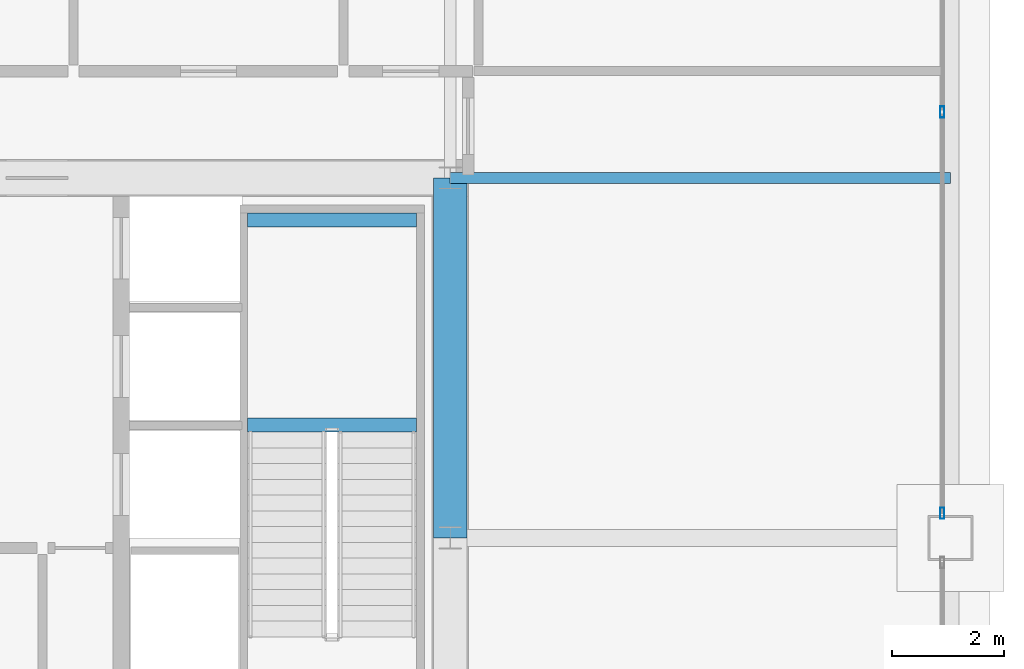
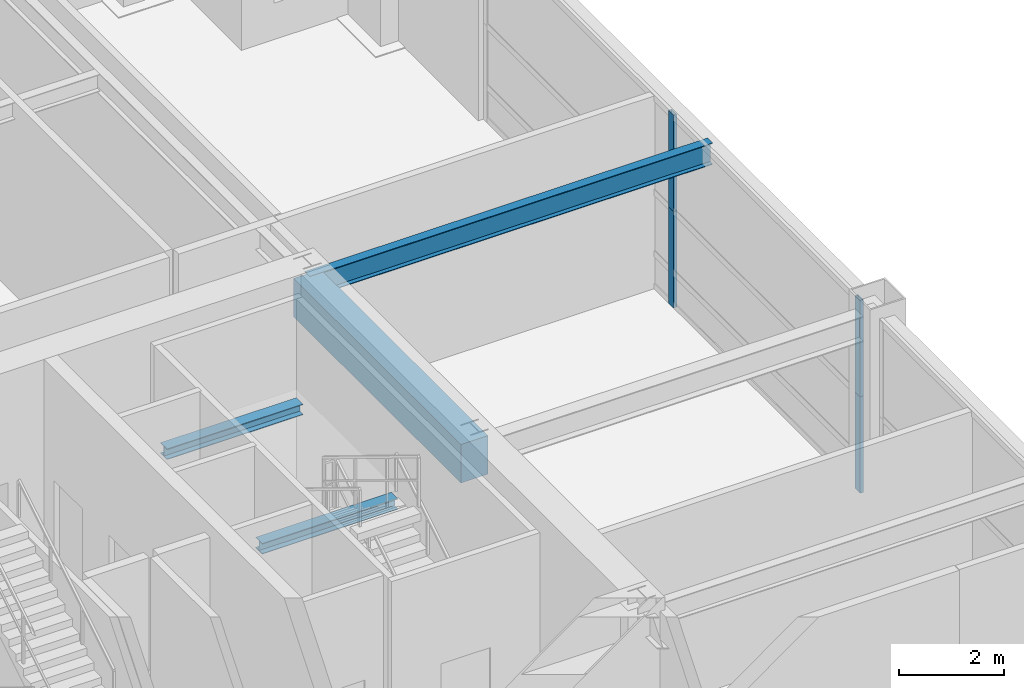
# One storey, part 18 of 34: 4 beams, 4 members, 1 element without a shape of its own.
"""IFC4 building model written with IfcOpenShell, lengths in metres."""

import ifcopenshell
import ifcopenshell.guid

model = None  # the IFC model being written
_history = None  # IfcOwnerHistory: only IFC2X3 demands one
_inside = {}  # id of a spatial element -> (the spatial element, [elements in it])
_under = {}  # id of a project, library or spatial element -> (it, [spatial elements below it])
_declared = {}  # id of a project -> (the project, [libraries it declares])
_typed = {}  # id of a type object -> (the type object, [elements of that type])
_made_of = {}  # id of a material, layer set ... -> (it, [elements and type objects made of it])


def new_model(schema):
    """Start an empty IFC model of exactly this schema.

    Asked for "IFC4X3", IfcOpenShell would pick the latest addendum, in which some entities
    have other attributes; the version numbers below select the first issue.
    IFC2X3 requires an IfcOwnerHistory on every rooted entity: one is made here for all.
    """
    global model, _history
    if schema == "IFC4X3":
        model = ifcopenshell.file(schema_version=(4, 3, 0, 0))
    else:
        model = ifcopenshell.file(schema=schema)
    _inside.clear()
    _under.clear()
    _declared.clear()
    _typed.clear()
    _made_of.clear()
    _history = None
    if model.schema == "IFC2X3":
        org = make("IfcOrganization", Name="unknown")
        user = make(
            "IfcPersonAndOrganization",
            ThePerson=make("IfcPerson", FamilyName="unknown"),
            TheOrganization=org,
        )
        app = make(
            "IfcApplication",
            ApplicationDeveloper=org,
            Version="unknown",
            ApplicationFullName="unknown",
            ApplicationIdentifier="unknown",
        )
        _history = make(
            "IfcOwnerHistory",
            OwningUser=user,
            OwningApplication=app,
            ChangeAction="ADDED",
            CreationDate=0,
        )
    return model


def make(cls, **values):
    """One entity of the class cls with the attributes given. An attribute that is None is left unset."""
    return model.create_entity(
        cls, **{name: value for name, value in values.items() if value is not None}
    )


def rooted(cls, **values):
    """An entity with a GlobalId (a new one), such as an element, a storey or a relation."""
    return make(cls, GlobalId=ifcopenshell.guid.new(), OwnerHistory=_history, **values)


def si_unit(unit_type, name, prefix=None):
    """IfcSIUnit, for example si_unit("LENGTHUNIT", "METRE", prefix="MILLI")."""
    return make("IfcSIUnit", UnitType=unit_type, Prefix=prefix, Name=name)


def assignment(units):
    """IfcUnitAssignment: the units of a project."""
    return None if units is None else make("IfcUnitAssignment", Units=units)


def point(xyz):
    """IfcCartesianPoint."""
    return None if xyz is None else make("IfcCartesianPoint", Coordinates=xyz)


def direction(xyz):
    """IfcDirection."""
    return None if xyz is None else make("IfcDirection", DirectionRatios=xyz)


def frame(location, z_axis=None, x_axis=None):
    """IfcAxis2Placement3D, a coordinate frame: its origin and axes. An axis left out is left unset."""
    return make(
        "IfcAxis2Placement3D",
        Location=point(location),
        Axis=direction(z_axis),
        RefDirection=direction(x_axis),
    )


def frame_2d(location, x_axis=None):
    """IfcAxis2Placement2D, a coordinate frame in the plane: its origin and x axis."""
    return make(
        "IfcAxis2Placement2D", Location=point(location), RefDirection=direction(x_axis)
    )


def origin():
    """The frame at (0, 0, 0) with its axes left unset."""
    return frame((0.0, 0.0, 0.0))


def origin_2d():
    """The frame at (0, 0) in the plane with its x axis left unset."""
    return frame_2d((0.0, 0.0))


def place(relative_to, where):
    """IfcLocalPlacement: puts the frame where relative to a parent placement (None: the world)."""
    return make(
        "IfcLocalPlacement", PlacementRelTo=relative_to, RelativePlacement=where
    )


def context(
    kind, dimensions, precision=None, world=None, true_north=None, identifier=None
):
    """IfcGeometricRepresentationContext, for example the 3D "Model" context."""
    return make(
        "IfcGeometricRepresentationContext",
        ContextIdentifier=identifier,
        ContextType=kind,
        CoordinateSpaceDimension=dimensions,
        Precision=precision,
        WorldCoordinateSystem=world,
        TrueNorth=true_north,
    )


def subcontext(parent, identifier, kind, view, scale=None):
    """IfcGeometricRepresentationSubContext, for example "Body" below "Model"."""
    return make(
        "IfcGeometricRepresentationSubContext",
        ContextIdentifier=identifier,
        ContextType=kind,
        ParentContext=parent,
        TargetScale=scale,
        TargetView=view,
    )


def project(units=None, contexts=None):
    """IfcProject with its units and contexts."""
    return rooted(
        "IfcProject",
        Name="project",
        RepresentationContexts=contexts,
        UnitsInContext=assignment(units),
    )


def spatial(cls, under=None, at=None, **own):
    """A site, building, storey or space (cls), placed at a placement, below another one or the project."""
    s = rooted(cls, ObjectPlacement=at, **own)
    if under is not None:
        _under.setdefault(under.id(), (under, []))[1].append(s)
    return s


def profile(cls, at=None, kind="AREA", **sizes):
    """A parametric profile (cls). Its sizes go by their IFC names, for example OverallWidth=200.0."""
    return make(cls, ProfileType=kind, Position=at, **sizes)


def rectangle(**sizes):
    """IfcRectangleProfileDef."""
    return profile("IfcRectangleProfileDef", **sizes)


def hollow_rectangle(**sizes):
    """IfcRectangleHollowProfileDef."""
    return profile("IfcRectangleHollowProfileDef", **sizes)


def i_section(**sizes):
    """IfcIShapeProfileDef."""
    return profile("IfcIShapeProfileDef", **sizes)


def extrude(swept, where, along, depth):
    """IfcExtrudedAreaSolid: the profile swept, set in the frame where, extruded along a direction by depth."""
    return make(
        "IfcExtrudedAreaSolid",
        SweptArea=swept,
        Position=where,
        ExtrudedDirection=direction(along),
        Depth=depth,
    )


def shape(context_of_items, identifier, shape_type, items):
    """IfcShapeRepresentation: the items that make up one representation, for example the "Body"."""
    return make(
        "IfcShapeRepresentation",
        ContextOfItems=context_of_items,
        RepresentationIdentifier=identifier,
        RepresentationType=shape_type,
        Items=items,
    )


def source(mapping_origin, context_of_items, identifier, shape_type, items):
    """IfcRepresentationMap: a shape defined once, which mapped items show again and again."""
    return make(
        "IfcRepresentationMap",
        MappingOrigin=mapping_origin,
        MappedRepresentation=shape(context_of_items, identifier, shape_type, items),
    )


def transform(
    local_origin,
    x_axis=None,
    y_axis=None,
    z_axis=None,
    scale=None,
    scale2=None,
    scale3=None,
    uniform=True,
):
    """IfcCartesianTransformationOperator3D, or its non-uniform kind. x_axis, y_axis, z_axis: its Axis1, 2, 3."""
    if uniform:
        return make(
            "IfcCartesianTransformationOperator3D",
            Axis1=direction(x_axis),
            Axis2=direction(y_axis),
            LocalOrigin=point(local_origin),
            Scale=scale,
            Axis3=direction(z_axis),
        )
    return make(
        "IfcCartesianTransformationOperator3DnonUniform",
        Axis1=direction(x_axis),
        Axis2=direction(y_axis),
        LocalOrigin=point(local_origin),
        Scale=scale,
        Axis3=direction(z_axis),
        Scale2=scale2,
        Scale3=scale3,
    )


def mapped(mapping_source, mapping_target):
    """IfcMappedItem: shows the shape of a source again, moved by a transform."""
    return make(
        "IfcMappedItem", MappingSource=mapping_source, MappingTarget=mapping_target
    )


def material(Name=None, Category=None):
    """IfcMaterial."""
    return make("IfcMaterial", Name=Name, Category=Category)


def layer(
    of_material, thickness, ventilated=None, Name=None, Category=None, Priority=None
):
    """IfcMaterialLayer: one layer of a wall or slab, of a material (None: an air gap)."""
    return make(
        "IfcMaterialLayer",
        Material=of_material,
        LayerThickness=thickness,
        IsVentilated=ventilated,
        Name=Name,
        Category=Category,
        Priority=Priority,
    )


def layer_set(layers, Name=None):
    """IfcMaterialLayerSet."""
    return make("IfcMaterialLayerSet", MaterialLayers=layers, LayerSetName=Name)


def material_profile(
    of_material, cross_section, Name=None, Category=None, Priority=None
):
    """IfcMaterialProfile: a cross section and its material."""
    return make(
        "IfcMaterialProfile",
        Name=Name,
        Material=of_material,
        Profile=cross_section,
        Priority=Priority,
        Category=Category,
    )


def profile_set(profiles, Name=None, composite=None):
    """IfcMaterialProfileSet."""
    return make(
        "IfcMaterialProfileSet",
        Name=Name,
        MaterialProfiles=profiles,
        CompositeProfile=composite,
    )


def made_of(thing, what):
    """Note that an element or type object is made of a material, layer set ...; save() writes the relation."""
    if what is not None:
        _made_of.setdefault(what.id(), (what, []))[1].append(thing)
    return thing


def type_object(cls, material=None, **own):
    """A type object (cls), such as IfcWallType, which elements share."""
    return made_of(rooted(cls, **own), material)


def element(
    cls,
    number,
    at=None,
    inside=None,
    cuts=None,
    type_object=None,
    material=None,
    context=None,
    identifier="Body",
    shape_type=None,
    held_by="IfcProductDefinitionShape",
    body=None,
    shapes=None,
    **own,
):
    """One element of the class cls, such as IfcWall. Its Tag is "e" and its number.

    at: its placement. inside: the storey or other place that contains it. cuts: it is an
    opening in that element (IfcRelVoidsElement). A single representation is given by context,
    identifier, shape_type and body (its items); several are given by shapes. held_by: the class
    of the entity that holds the representations. save() writes the other relations.
    """
    e = rooted(cls, Tag="e%d" % number, ObjectPlacement=at, **own)
    if body is not None:
        shapes = [shape(context, identifier, shape_type, body)]
    if shapes is not None:
        e.Representation = make(held_by, Representations=shapes)
    if inside is not None:
        _inside.setdefault(inside.id(), (inside, []))[1].append(e)
    if cuts is not None:
        rooted(
            "IfcRelVoidsElement", RelatingBuildingElement=cuts, RelatedOpeningElement=e
        )
    if type_object is not None:
        _typed.setdefault(type_object.id(), (type_object, []))[1].append(e)
    return made_of(e, material)


def aggregate(whole, parts):
    """IfcRelAggregates: a whole, such as a stair, and the parts it consists of."""
    return rooted("IfcRelAggregates", RelatingObject=whole, RelatedObjects=parts)


def save(model, path):
    """Write the relations noted so far, then the file.

    IfcRelAggregates (storeys below a building ...), IfcRelContainedInSpatialStructure (elements
    in a storey), IfcRelDefinesByType, IfcRelAssociatesMaterial and IfcRelDeclares: one each for
    every whole, place, type object, material and project.
    """
    for whole, parts in _under.values():
        aggregate(whole, parts)
    for where, things in _inside.values():
        rooted(
            "IfcRelContainedInSpatialStructure",
            RelatedElements=things,
            RelatingStructure=where,
        )
    for kind, things in _typed.values():
        rooted("IfcRelDefinesByType", RelatedObjects=things, RelatingType=kind)
    for what, things in _made_of.values():
        rooted("IfcRelAssociatesMaterial", RelatedObjects=things, RelatingMaterial=what)
    for by, libraries in _declared.values():
        rooted("IfcRelDeclares", RelatingContext=by, RelatedDefinitions=libraries)
    model.write(path)


model = new_model("IFC4")

# Units and contexts
model_context = context("Model", 3, precision=1e-05, world=origin(), true_north=direction((0.0, 1.0)))
body_context = subcontext(model_context, "Body", "Model", "MODEL_VIEW")
ifc_project = project(units=[si_unit("LENGTHUNIT", "METRE"), si_unit("AREAUNIT", "SQUARE_METRE"), si_unit("VOLUMEUNIT", "CUBIC_METRE"), si_unit("PLANEANGLEUNIT", "RADIAN"), si_unit("MASSUNIT", "GRAM", prefix="KILO"), si_unit("THERMODYNAMICTEMPERATUREUNIT", "KELVIN"), si_unit("POWERUNIT", "WATT")], contexts=[model_context])

# Site, building, storey
site_placement = place(None, origin())
site = spatial("IfcSite", under=ifc_project, at=site_placement, CompositionType="ELEMENT")
building_placement = place(site_placement, origin())
building = spatial("IfcBuilding", under=site, at=building_placement, Name="Yuzanri Waterfront Tower", CompositionType="ELEMENT")
storey_placement = place(building_placement, frame((0.0, 0.0, 166.800048828125)))
storey = spatial("IfcBuildingStorey", under=building, at=storey_placement, Name="L44", CompositionType="ELEMENT", Elevation=166.800048828125)

# Beams
ifc_material_1 = material(Name="Concrete C60", Category="concrete")
ifc_material_profile_1 = material_profile(ifc_material_1, rectangle(XDim=0.60009765625, YDim=0.89990234375, at=origin_2d()), Name="RC 600x900")
ifc_profile_set_1 = profile_set([ifc_material_profile_1], Name="Concrete C60")
beam_type_1 = type_object("IfcBeamType", Name="Core Coupling Lintel Concrete C60 600x900", PredefinedType="LINTEL", material=ifc_profile_set_1)
shared_shape_1 = source(origin(), body_context, "Body", "SweptSolid", [
    extrude(rectangle(XDim=0.60009765625, YDim=0.89990234375, at=origin_2d()), origin(), (0.0, 0.0, 1.0), 6.39990234375),
])
beam_1_placement = place(storey_placement, frame((50.199951171875, 25.800048828125, 4.050048828125), z_axis=(0.0, 1.0, 0.0), x_axis=(-1.0, 0.0, 0.0)))
element("IfcBeam", 1, at=beam_1_placement, inside=storey, type_object=beam_type_1, Name="L44 Core Tie Beam CE2", PredefinedType="LINTEL", context=body_context, shape_type="MappedRepresentation", body=[
    mapped(shared_shape_1, transform((0.0, 0.0, 0.0), scale=1.0)),
])
ifc_material_2 = material(Name="Steel Q355B", Category="steel")
ifc_material_profile_2 = material_profile(ifc_material_2, i_section(OverallWidth=0.199951171875, OverallDepth=0.5, WebThickness=0.010009765625, FlangeThickness=0.01611328125, at=origin_2d()), Name="HN 500x200x10x16")
ifc_profile_set_2 = profile_set([ifc_material_profile_2], Name="Steel Q355B")
beam_type_2 = type_object("IfcBeamType", Name="Secondary Floor Beam Q355B HN 500x200", PredefinedType="BEAM", material=ifc_profile_set_2)
shared_shape_2 = source(origin(), body_context, "Body", "SweptSolid", [
    extrude(i_section(OverallWidth=0.199951171875, OverallDepth=0.5, WebThickness=0.010009765625, FlangeThickness=0.01611328125, at=origin_2d()), origin(), (0.0, 0.0, 1.0), 8.900146484375),
])
beam_2_placement = place(storey_placement, frame((50.199951171875, 32.199951171875, 4.25), z_axis=(1.0, 0.0, 0.0), x_axis=(0.0, 1.0, 0.0)))
element("IfcBeam", 2, at=beam_2_placement, inside=storey, type_object=beam_type_2, Name="L44 East-North Core Line Beam", PredefinedType="BEAM", context=body_context, shape_type="MappedRepresentation", body=[
    mapped(shared_shape_2, transform((0.0, 0.0, 0.0), scale=1.0)),
])

# Curtain wall, members
ifc_material_3 = material(Name="Anodized Architectural Bronze", Category="metal")
ifc_layer = layer(ifc_material_3, 0.159912109375)
ifc_layer_set = layer_set([ifc_layer], Name="Anodized Architectural Bronze")
curtain_wall_type = type_object("IfcCurtainWallType", Name="Anodized Bronze Sky-Lobby Triple-Glazed Feature Curtain Wall 7500", PredefinedType="NOTDEFINED", material=ifc_layer_set)
curtain_wall_placement = place(storey_placement, origin())
curtain_wall = element("IfcCurtainWall", 3, at=curtain_wall_placement, inside=storey, type_object=curtain_wall_type, Name="L44 Curtain Wall CW-L44-ER", PredefinedType="NOTDEFINED")
ifc_material_4 = material(Name="Anodized Architectural Bronze", Category="metal")
ifc_material_profile_3 = material_profile(ifc_material_4, hollow_rectangle(XDim=0.074951171875, YDim=0.199951171875, WallThickness=0.00390625, at=origin_2d()), Name="CWM 75x200")
ifc_profile_set_3 = profile_set([ifc_material_profile_3], Name="Anodized Architectural Bronze")
member_type = type_object("IfcMemberType", Name="Anodized Bronze Primary Curtain-Wall Mullion 75x200", PredefinedType="MULLION", material=ifc_profile_set_3)
shared_shape_3 = source(origin(), body_context, "Body", "SweptSolid", [
    extrude(hollow_rectangle(XDim=0.074951171875, YDim=0.199951171875, WallThickness=0.00390625, at=origin_2d()), origin(), (0.0, 0.0, 1.0), 2.248046875),
])
member_1_placement = place(storey_placement, frame((58.949951171875, 26.239990234375, 0.0), z_axis=(0.0, 0.0, 1.0), x_axis=(1.0, 0.0, 0.0)))
member_1 = element("IfcMember", 4, at=member_1_placement, type_object=member_type, Name="CW-L44-ER Lower Mullion 00", PredefinedType="MULLION", context=body_context, shape_type="MappedRepresentation", body=[
    mapped(shared_shape_3, transform((0.0, 0.0, 0.0), scale=1.0)),
])
member_2_placement = place(storey_placement, frame((58.949951171875, 26.239990234375, 2.251953125), z_axis=(0.0, 0.0, 1.0), x_axis=(1.0, 0.0, 0.0)))
member_2 = element("IfcMember", 5, at=member_2_placement, type_object=member_type, Name="CW-L44-ER Upper Mullion 00", PredefinedType="MULLION", context=body_context, shape_type="MappedRepresentation", body=[
    mapped(shared_shape_3, transform((0.0, 0.0, 0.0), scale=1.0)),
])
member_3_placement = place(storey_placement, frame((58.949951171875, 33.375, 0.0), z_axis=(0.0, 0.0, 1.0), x_axis=(1.0, 0.0, 0.0)))
member_3 = element("IfcMember", 6, at=member_3_placement, type_object=member_type, Name="CW-L44-ER Lower Mullion 01", PredefinedType="MULLION", context=body_context, shape_type="MappedRepresentation", body=[
    mapped(shared_shape_3, transform((0.0, 0.0, 0.0), scale=1.0)),
])
member_4_placement = place(storey_placement, frame((58.949951171875, 33.375, 2.251953125), z_axis=(0.0, 0.0, 1.0), x_axis=(1.0, 0.0, 0.0)))
member_4 = element("IfcMember", 7, at=member_4_placement, type_object=member_type, Name="CW-L44-ER Upper Mullion 01", PredefinedType="MULLION", context=body_context, shape_type="MappedRepresentation", body=[
    mapped(shared_shape_3, transform((0.0, 0.0, 0.0), scale=1.0)),
])
aggregate(curtain_wall, [member_1, member_2, member_3, member_4])

# Beams
ifc_material_5 = material(Name="Steel Q355B", Category="steel")
ifc_material_profile_4 = material_profile(ifc_material_5, i_section(OverallWidth=0.25, OverallDepth=0.25, WebThickness=0.009033203125, FlangeThickness=0.013916015625, at=origin_2d()), Name="HW 250x250x9x14")
ifc_profile_set_4 = profile_set([ifc_material_profile_4], Name="Steel Q355B")
beam_type_3 = type_object("IfcBeamType", Name="Stair Landing Support Beam Q355B HW 250x250", PredefinedType="BEAM", material=ifc_profile_set_4)
shared_shape_4 = source(origin(), body_context, "Body", "SweptSolid", [
    extrude(i_section(OverallWidth=0.25, OverallDepth=0.25, WebThickness=0.009033203125, FlangeThickness=0.013916015625, at=origin_2d()), origin(), (0.0, 0.0, 1.0), 3.0),
])
for number, where, z_axis, x_axis, name in (
    (8, (46.60009765625, 27.81005859375, 2.074951171875), (1.0, 0.0, 0.0), (0.0, 1.0, 0.0), "L44 Stair Landing Support Beam ST-02-L44-L1-1"),
    (9, (46.60009765625, 31.449951171875, 2.074951171875), (1.0, 0.0, 0.0), (0.0, 1.0, 0.0), "L44 Stair Landing Support Beam ST-02-L44-L1-2"),
):
    element("IfcBeam", number, at=place(storey_placement, frame(where, z_axis=z_axis, x_axis=x_axis)), inside=storey, type_object=beam_type_3, Name=name, PredefinedType="BEAM", context=body_context, shape_type="MappedRepresentation", body=[
        mapped(shared_shape_4, transform((0.0, 0.0, 0.0), scale=1.0)),
    ])

save(model, "model.ifc")
